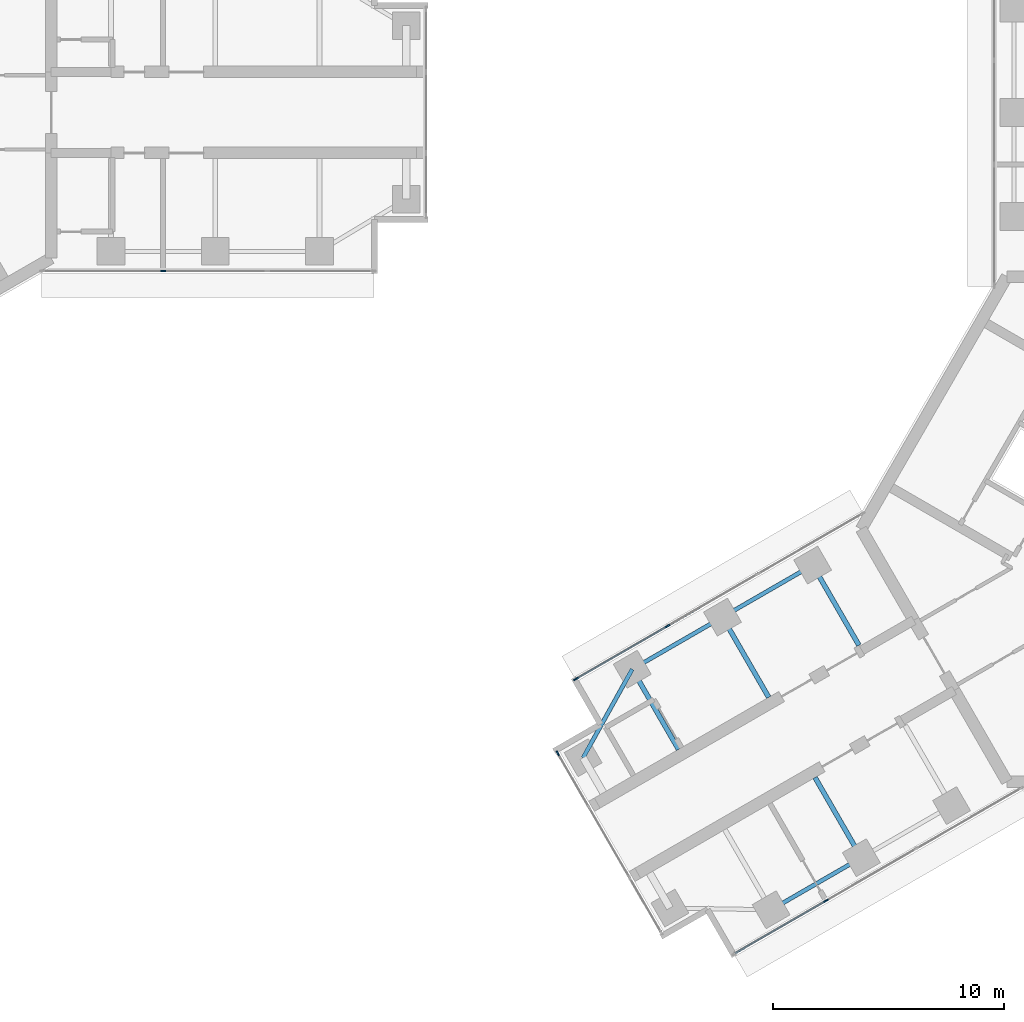
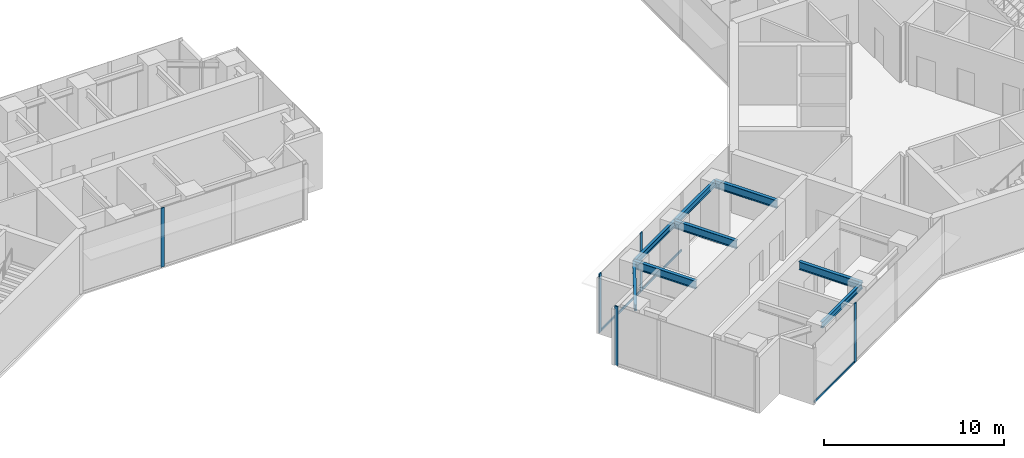
# One storey, part 3 of 17: 8 beams, 8 members, 4 elements without a shape of their own.
"""IFC4 building model written with IfcOpenShell, lengths in metres."""

from ifc_helpers import new_model, si_unit, direction, frame, origin, origin_2d, place, context, subcontext, project, spatial, rectangle, i_section, extrude, material, material_profile, profile_set, type_object, element, aggregate, save


model = new_model("IFC4")

# Units and contexts
model_context = context("Model", 3, precision=1e-05, world=origin(), true_north=direction((0.0, 1.0)))
body_context = subcontext(model_context, "Body", "Model", "MODEL_VIEW")
ifc_project = project(units=[si_unit("LENGTHUNIT", "METRE"), si_unit("AREAUNIT", "SQUARE_METRE"), si_unit("VOLUMEUNIT", "CUBIC_METRE"), si_unit("PLANEANGLEUNIT", "RADIAN"), si_unit("MASSUNIT", "GRAM", prefix="KILO")], contexts=[model_context])

# Site, building, storey
site_placement = place(None, origin())
site = spatial("IfcSite", under=ifc_project, at=site_placement, CompositionType="ELEMENT")
building_placement = place(site_placement, origin())
building = spatial("IfcBuilding", under=site, at=building_placement, Name="Upepo Twin Towers", CompositionType="ELEMENT")
storey_placement = place(building_placement, frame((0.0, 0.0, 174.5)))
storey = spatial("IfcBuildingStorey", under=building, at=storey_placement, Name="L42", CompositionType="ELEMENT", Elevation=174.5)

# Beams
ifc_material_1 = material(Name="Steel S355", Category="steel")
ifc_material_profile_1 = material_profile(ifc_material_1, i_section(OverallWidth=0.177978515625, OverallDepth=0.406494140625, WebThickness=0.0078125, FlangeThickness=0.0126953125, FilletRadius=0.01025390625, at=origin_2d()), Name="UB 406x178x60")
ifc_profile_set_1 = profile_set([ifc_material_profile_1], Name="Steel S355")
beam_type_1 = type_object("IfcBeamType", Name="Beam UB 406x178x60", PredefinedType="BEAM", material=ifc_profile_set_1)
beam_1_placement = place(storey_placement, frame((45.91162109375, -32.196044921875, 3.5966796875), z_axis=(-0.866031096941, -0.499990139034, 0.0), x_axis=(0.499990139034, -0.866031096941, 0.0)))
element("IfcBeam", 1, at=beam_1_placement, inside=storey, type_object=beam_type_1, Name="T2 edge beam BL 18.0-22.5", PredefinedType="BEAM", context=body_context, shape_type="SweptSolid", body=[
    extrude(i_section(OverallWidth=0.177978515625, OverallDepth=0.406494140625, WebThickness=0.0078125, FlangeThickness=0.0126953125, FilletRadius=0.01025390625, at=origin_2d()), origin(), (0.0, 0.0, 1.0), 4.5),
])
beam_2_placement = place(storey_placement, frame((43.80859375, -19.553955078125, 3.5966796875), z_axis=(-0.866017533419, -0.500013631625, 0.0), x_axis=(0.500013631625, -0.866017533419, 0.0)))
element("IfcBeam", 2, at=beam_2_placement, inside=storey, type_object=beam_type_1, Name="T2 edge beam BR 13.5-18.0", PredefinedType="BEAM", context=body_context, shape_type="SweptSolid", body=[
    extrude(i_section(OverallWidth=0.177978515625, OverallDepth=0.406494140625, WebThickness=0.0078125, FlangeThickness=0.0126953125, FilletRadius=0.01025390625, at=origin_2d()), origin(), (0.0, 0.0, 1.0), 4.499755859375),
])
beam_3_placement = place(storey_placement, frame((39.91162109375, -21.803955078125, 3.5966796875), z_axis=(-0.866031096941, -0.499990139034, 0.0), x_axis=(0.499990139034, -0.866031096941, 0.0)))
element("IfcBeam", 3, at=beam_3_placement, inside=storey, type_object=beam_type_1, Name="T2 edge beam BR 18.0-22.5", PredefinedType="BEAM", context=body_context, shape_type="SweptSolid", body=[
    extrude(i_section(OverallWidth=0.177978515625, OverallDepth=0.406494140625, WebThickness=0.0078125, FlangeThickness=0.0126953125, FilletRadius=0.01025390625, at=origin_2d()), origin(), (0.0, 0.0, 1.0), 4.5),
])
beam_4_placement = place(storey_placement, frame((36.014404296875, -24.053955078125, 3.5966796875), z_axis=(-0.485363242752, -0.874312600038, 0.0), x_axis=(0.874312600038, -0.485363242752, 0.0)))
element("IfcBeam", 4, at=beam_4_placement, inside=storey, type_object=beam_type_1, Name="T2 nose edge beam BR", PredefinedType="BEAM", context=body_context, shape_type="SweptSolid", body=[
    extrude(i_section(OverallWidth=0.177978515625, OverallDepth=0.406494140625, WebThickness=0.0078125, FlangeThickness=0.0126953125, FilletRadius=0.01025390625, at=origin_2d()), origin(), (0.0, 0.0, 1.0), 4.373046875),
])
ifc_material_2 = material(Name="Steel S355", Category="steel")
ifc_material_profile_2 = material_profile(ifc_material_2, i_section(OverallWidth=0.209228515625, OverallDepth=0.533203125, WebThickness=0.010009765625, FlangeThickness=0.015625, FilletRadius=0.0126953125, at=origin_2d()), Name="UB 533x210x92")
ifc_profile_set_2 = profile_set([ifc_material_profile_2], Name="Steel S355")
beam_type_2 = type_object("IfcBeamType", Name="Beam UB 533x210x92", PredefinedType="BEAM", material=ifc_profile_set_2)
for number, where, z_axis, x_axis, name in (
    (5, (45.91162109375, -32.196044921875, 3.533447265625), (-0.49999894854, 0.866026010844, 0.0), (-0.866026010844, -0.49999894854, 0.0), "T2 girder BL at 18.0"),
    (6, (43.80859375, -19.553955078125, 3.533447265625), (0.49999894854, -0.866026010844, 0.0), (0.866026010844, 0.49999894854, 0.0), "T2 girder BR at 13.5"),
    (7, (39.91162109375, -21.803955078125, 3.533447265625), (0.49999894854, -0.866026010844, 0.0), (0.866026010844, 0.49999894854, 0.0), "T2 girder BR at 18.0"),
    (8, (36.014404296875, -24.053955078125, 3.533447265625), (0.49999894854, -0.866026010844, 0.0), (0.866026010844, 0.49999894854, 0.0), "T2 girder BR at 22.5"),
):
    element("IfcBeam", number, at=place(storey_placement, frame(where, z_axis=z_axis, x_axis=x_axis)), inside=storey, type_object=beam_type_2, Name=name, PredefinedType="BEAM", context=body_context, shape_type="SweptSolid", body=[
        extrude(i_section(OverallWidth=0.209228515625, OverallDepth=0.533203125, WebThickness=0.010009765625, FlangeThickness=0.015625, FilletRadius=0.0126953125, at=origin_2d()), origin(), (0.0, 0.0, 1.0), 4.0),
    ])

# Curtain wall, member
ifc_material_3 = material(Name="Aluminium and fritted glass", Category="aluminium")
curtain_wall_type = type_object("IfcCurtainWallType", Name="Tower curtain wall TW3, fritted glass", PredefinedType="NOTDEFINED", material=ifc_material_3)
curtain_wall_1_placement = place(storey_placement, origin())
curtain_wall_1 = element("IfcCurtainWall", 9, at=curtain_wall_1_placement, inside=storey, type_object=curtain_wall_type, Name="T1 L42 wing A flank R curtain wall", PredefinedType="NOTDEFINED")
ifc_material_4 = material(Name="Aluminium mullion", Category="aluminium")
ifc_material_profile_3 = material_profile(ifc_material_4, rectangle(XDim=0.06494140625, YDim=0.22509765625, at=origin_2d()), Name="MULLION 65x225")
ifc_profile_set_3 = profile_set([ifc_material_profile_3], Name="Aluminium mullion")
member_type_1 = type_object("IfcMemberType", Name="Mullion 65x225 TW3", PredefinedType="MULLION", material=ifc_profile_set_3)
member_1_placement = place(storey_placement, frame((15.75, -6.85009765625, 0.0), z_axis=(0.0, 0.0, 1.0), x_axis=(0.0, -1.0, 0.0)))
member_1 = element("IfcMember", 10, at=member_1_placement, type_object=member_type_1, Name="T1 L42 wing A flank R curtain wall mullion 3", PredefinedType="MULLION", context=body_context, shape_type="SweptSolid", body=[
    extrude(rectangle(XDim=0.06494140625, YDim=0.22509765625, at=origin_2d()), origin(), (0.0, 0.0, 1.0), 4.0),
])
aggregate(curtain_wall_1, [member_1])

curtain_wall_2_placement = place(storey_placement, origin())
curtain_wall_2 = element("IfcCurtainWall", 11, at=curtain_wall_2_placement, inside=storey, type_object=curtain_wall_type, Name="T2 L42 wing B flank L curtain wall", PredefinedType="NOTDEFINED")
member_2_placement = place(storey_placement, frame((44.387939453125, -34.057373046875, 0.0), z_axis=(0.0, 0.0, 1.0), x_axis=(0.500000026527, -0.866025388469, 0.0)))
member_2 = element("IfcMember", 12, at=member_2_placement, type_object=member_type_1, Name="T2 L42 wing B flank L curtain wall mullion 3", PredefinedType="MULLION", context=body_context, shape_type="SweptSolid", body=[
    extrude(rectangle(XDim=0.06494140625, YDim=0.22509765625, at=origin_2d()), origin(), (0.0, 0.0, 1.0), 4.0),
])

# Curtain wall, members
curtain_wall_3_placement = place(storey_placement, origin())
curtain_wall_3 = element("IfcCurtainWall", 13, at=curtain_wall_3_placement, inside=storey, type_object=curtain_wall_type, Name="T2 L42 wing B flank R curtain wall", PredefinedType="NOTDEFINED")
member_3_placement = place(storey_placement, frame((33.58251953125, -24.4765625, 0.0), z_axis=(0.0, 0.0, 1.0), x_axis=(-0.500000026527, 0.866025388469, 0.0)))
member_3 = element("IfcMember", 14, at=member_3_placement, type_object=member_type_1, Name="T2 L42 wing B flank R curtain wall mullion 1", PredefinedType="MULLION", context=body_context, shape_type="SweptSolid", body=[
    extrude(rectangle(XDim=0.06494140625, YDim=0.22509765625, at=origin_2d()), origin(), (0.0, 0.0, 1.0), 4.0),
])
member_4_placement = place(storey_placement, frame((37.5380859375, -22.192626953125, 0.0), z_axis=(0.0, 0.0, 1.0), x_axis=(-0.500000026527, 0.866025388469, 0.0)))
member_4 = element("IfcMember", 15, at=member_4_placement, type_object=member_type_1, Name="T2 L42 wing B flank R curtain wall mullion 2", PredefinedType="MULLION", context=body_context, shape_type="SweptSolid", body=[
    extrude(rectangle(XDim=0.06494140625, YDim=0.22509765625, at=origin_2d()), origin(), (0.0, 0.0, 1.0), 4.0),
])

# Curtain wall, member
curtain_wall_4_placement = place(storey_placement, origin())
curtain_wall_4 = element("IfcCurtainWall", 16, at=curtain_wall_4_placement, inside=storey, type_object=curtain_wall_type, Name="T2 L42 wing B nose curtain wall", PredefinedType="NOTDEFINED")
member_5_placement = place(storey_placement, frame((32.796875, -27.68115234375, 0.0), z_axis=(0.0, 0.0, 1.0), x_axis=(0.866025386174, 0.500000030502, 0.0)))
member_5 = element("IfcMember", 17, at=member_5_placement, type_object=member_type_1, Name="T2 L42 wing B nose curtain wall mullion 1", PredefinedType="MULLION", context=body_context, shape_type="SweptSolid", body=[
    extrude(rectangle(XDim=0.06494140625, YDim=0.22509765625, at=origin_2d()), origin(), (0.0, 0.0, 1.0), 4.0),
])
aggregate(curtain_wall_4, [member_5])

# Member
ifc_material_5 = material(Name="Aluminium transom", Category="aluminium")
ifc_material_profile_4 = material_profile(ifc_material_5, rectangle(XDim=0.06494140625, YDim=0.14990234375, at=origin_2d()), Name="TRANSOM 65x150")
ifc_profile_set_4 = profile_set([ifc_material_profile_4], Name="Aluminium transom")
member_type_2 = type_object("IfcMemberType", Name="Transom 65x150 TW3", PredefinedType="USERDEFINED", material=ifc_profile_set_4)
member_6_placement = place(storey_placement, frame((44.35986328125, -34.073486328125, 0.074951171875), z_axis=(-0.866035699072, -0.499982167615, 0.0), x_axis=(0.499982167615, -0.866035699072, 0.0)))
member_6 = element("IfcMember", 18, at=member_6_placement, type_object=member_type_2, Name="T2 L42 wing B flank L curtain wall transom 3", ObjectType="TRANSOM", PredefinedType="USERDEFINED", context=body_context, shape_type="SweptSolid", body=[
    extrude(rectangle(XDim=0.06494140625, YDim=0.14990234375, at=origin_2d()), origin(), (0.0, 0.0, 1.0), 4.502685546875),
])

aggregate(curtain_wall_2, [member_2, member_6])

member_7_placement = place(storey_placement, frame((33.610595703125, -24.460205078125, 0.074951171875), z_axis=(0.866022143554, 0.500005646842, 0.0), x_axis=(-0.500005646842, 0.866022143554, 0.0)))
member_7 = element("IfcMember", 19, at=member_7_placement, type_object=member_type_2, Name="T2 L42 wing B flank R curtain wall transom 1", ObjectType="TRANSOM", PredefinedType="USERDEFINED", context=body_context, shape_type="SweptSolid", body=[
    extrude(rectangle(XDim=0.06494140625, YDim=0.14990234375, at=origin_2d()), origin(), (0.0, 0.0, 1.0), 4.50244140625),
])

member_8_placement = place(storey_placement, frame((37.566162109375, -22.176513671875, 0.074951171875), z_axis=(0.866022410713, 0.500005184116, 0.0), x_axis=(-0.500005184116, 0.866022410713, 0.0)))
member_8 = element("IfcMember", 20, at=member_8_placement, type_object=member_type_2, Name="T2 L42 wing B flank R curtain wall transom 2", ObjectType="TRANSOM", PredefinedType="USERDEFINED", context=body_context, shape_type="SweptSolid", body=[
    extrude(rectangle(XDim=0.06494140625, YDim=0.14990234375, at=origin_2d()), origin(), (0.0, 0.0, 1.0), 4.43505859375),
])

aggregate(curtain_wall_3, [member_3, member_4, member_7, member_8])

save(model, "model.ifc")
